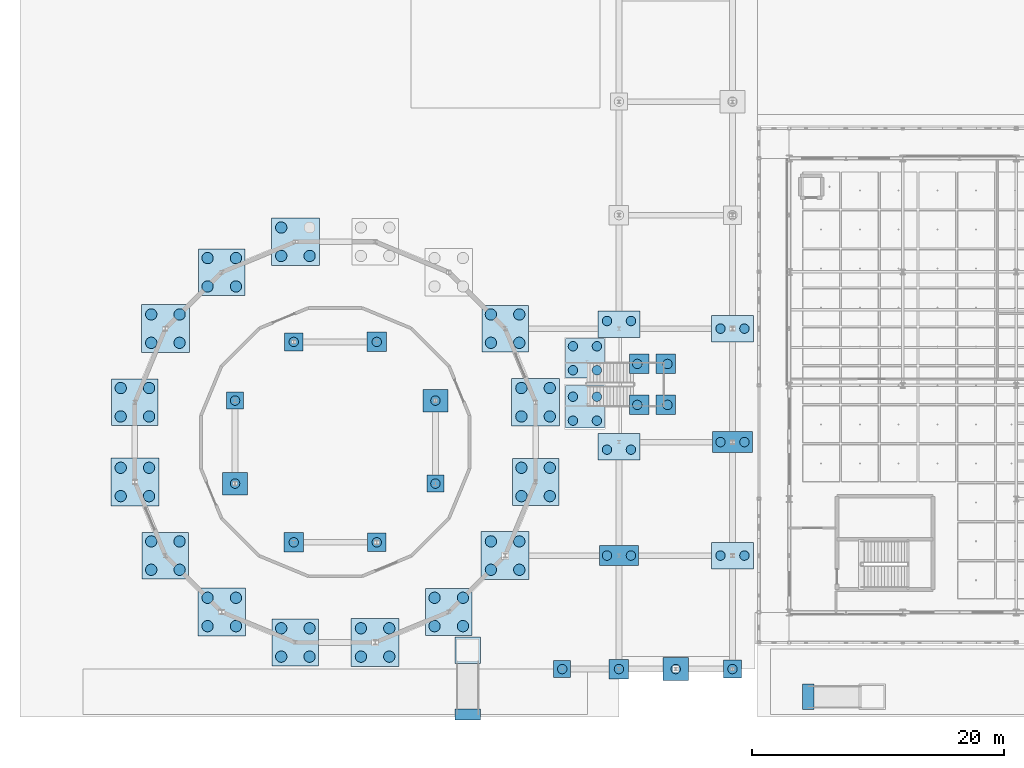
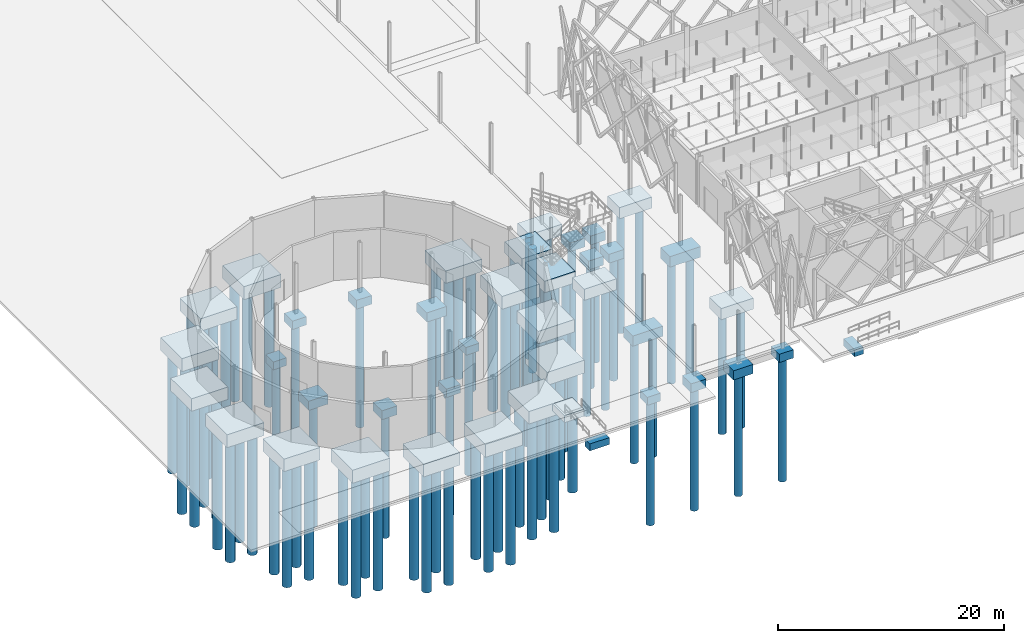
# One storey, part 1 of 180: 91 piles, 41 footings.
"""IFC4 building model written with IfcOpenShell, lengths in metres."""

from ifc_helpers import new_model, si_unit, direction, frame, origin, origin_2d, place, context, subcontext, project, spatial, rectangle, circle, extrude, material, material_profile, profile_set, type_object, element, save


model = new_model("IFC4")

# Units and contexts
model_context = context("Model", 3, precision=1e-05, world=origin(), true_north=direction((0.0, 1.0)))
body_context = subcontext(model_context, "Body", "Model", "MODEL_VIEW")
ifc_project = project(units=[si_unit("LENGTHUNIT", "METRE"), si_unit("AREAUNIT", "SQUARE_METRE"), si_unit("VOLUMEUNIT", "CUBIC_METRE"), si_unit("PLANEANGLEUNIT", "RADIAN"), si_unit("MASSUNIT", "GRAM", prefix="KILO"), si_unit("THERMODYNAMICTEMPERATUREUNIT", "KELVIN"), si_unit("POWERUNIT", "WATT")], contexts=[model_context])

# Site, building, storey
site_placement = place(None, origin())
site = spatial("IfcSite", under=ifc_project, at=site_placement, CompositionType="ELEMENT")
building_placement = place(site_placement, origin())
building = spatial("IfcBuilding", under=site, at=building_placement, Name="Tallowbark Science Centre", CompositionType="ELEMENT")
storey_placement = place(building_placement, origin())
storey = spatial("IfcBuildingStorey", under=building, at=storey_placement, Name="L00", CompositionType="ELEMENT", Elevation=0.0)

# Footings
ifc_material = material(Name="Concrete Grade N40 (40 MPa)", Category="concrete")
footing_type_1 = type_object("IfcFootingType", Name="FTG-PC1-130", PredefinedType="PILE_CAP", material=ifc_material)
for number, where, z_axis, x_axis, name in (
    (1, (14.5546875, 21.291015625, -1.090087890625), (0.0, 0.0, 1.0), (1.0, 0.0, 0.0), "Pile Cap DRM-I04"),
    (2, (30.4453125, 14.708984375, -1.090087890625), (0.0, 0.0, 1.0), (1.0, 0.0, 0.0), "Pile Cap DRM-I08"),
    (3, (40.5, 0.0, -1.090087890625), (0.0, 0.0, 1.0), (1.0, 0.0, 0.0), "Pile Cap CAN-S1"),
):
    element("IfcFooting", number, at=place(storey_placement, frame(where, z_axis=z_axis, x_axis=x_axis)), inside=storey, type_object=footing_type_1, Name=name, PredefinedType="PILE_CAP", context=body_context, shape_type="SweptSolid", body=[
        extrude(rectangle(XDim=1.35009765625, YDim=1.35009765625, at=origin_2d()), origin(), (0.0, 0.0, 1.0), 0.85009765625),
    ])
footing_type_2 = type_object("IfcFootingType", Name="FTG-PC1-140", PredefinedType="PILE_CAP", material=ifc_material)
for number, where, z_axis, x_axis, name in (
    (4, (19.208984375, 25.9453125, -1.139892578125), (0.0, 0.0, 1.0), (1.0, 0.0, 0.0), "Pile Cap DRM-I03"),
    (5, (25.791015625, 10.0546875, -1.139892578125), (0.0, 0.0, 1.0), (1.0, 0.0, 0.0), "Pile Cap DRM-I07"),
    (6, (54.0, 0.0, -1.159912109375), (0.0, 0.0, 1.0), (1.0, 0.0, 0.0), "Pile Cap PAS-E00"),
):
    element("IfcFooting", number, at=place(storey_placement, frame(where, z_axis=z_axis, x_axis=x_axis)), inside=storey, type_object=footing_type_2, Name=name, PredefinedType="PILE_CAP", context=body_context, shape_type="SweptSolid", body=[
        extrude(rectangle(XDim=1.449951171875, YDim=1.449951171875, at=origin_2d()), origin(), (0.0, 0.0, 1.0), 0.89990234375),
    ])
footing_type_3 = type_object("IfcFootingType", Name="FTG-PC1-150", PredefinedType="PILE_CAP", material=ifc_material)
for number, where, z_axis, x_axis, name in (
    (7, (25.791015625, 25.9453125, -1.18994140625), (0.0, 0.0, 1.0), (1.0, 0.0, 0.0), "Pile Cap DRM-I02"),
    (8, (19.208984375, 10.0546875, -1.18994140625), (0.0, 0.0, 1.0), (1.0, 0.0, 0.0), "Pile Cap DRM-I06"),
    (9, (45.0, 0.0, -1.2099609375), (0.0, 0.0, 1.0), (1.0, 0.0, 0.0), "Pile Cap PAS-W00"),
    (10, (46.60009765625, 20.949951171875, -1.2099609375), (0.0, 0.0, 1.0), (1.0, 0.0, 0.0), "Exterior Stair Half-Landing Cap WS"),
    (11, (46.60009765625, 24.199951171875, -1.2099609375), (0.0, 0.0, 1.0), (1.0, 0.0, 0.0), "Exterior Stair Half-Landing Cap WN"),
    (12, (48.699951171875, 20.949951171875, -1.2099609375), (0.0, 0.0, 1.0), (1.0, 0.0, 0.0), "Exterior Stair Half-Landing Cap ES"),
    (13, (48.699951171875, 24.199951171875, -1.2099609375), (0.0, 0.0, 1.0), (1.0, 0.0, 0.0), "Exterior Stair Half-Landing Cap EN"),
):
    element("IfcFooting", number, at=place(storey_placement, frame(where, z_axis=z_axis, x_axis=x_axis)), inside=storey, type_object=footing_type_3, Name=name, PredefinedType="PILE_CAP", context=body_context, shape_type="SweptSolid", body=[
        extrude(rectangle(XDim=1.550048828125, YDim=1.550048828125, at=origin_2d()), origin(), (0.0, 0.0, 1.0), 0.949951171875),
    ])
footing_type_4 = type_object("IfcFootingType", Name="FTG-PC1-160", PredefinedType="PILE_CAP", material=ifc_material)
for number, where, z_axis, x_axis, name in (
    (14, (30.4453125, 21.291015625, -1.239990234375), (0.0, 0.0, 1.0), (1.0, 0.0, 0.0), "Pile Cap DRM-I01"),
    (15, (14.5546875, 14.708984375, -1.239990234375), (0.0, 0.0, 1.0), (1.0, 0.0, 0.0), "Pile Cap DRM-I05"),
    (16, (49.5, 0.0, -1.260009765625), (0.0, 0.0, 1.0), (1.0, 0.0, 0.0), "Pile Cap CAN-S2"),
):
    element("IfcFooting", number, at=place(storey_placement, frame(where, z_axis=z_axis, x_axis=x_axis)), inside=storey, type_object=footing_type_4, Name=name, PredefinedType="PILE_CAP", context=body_context, shape_type="SweptSolid", body=[
        extrude(rectangle(XDim=2.0, YDim=1.800048828125, at=origin_2d()), origin(), (0.0, 0.0, 1.0), 1.0),
    ])
footing_type_5 = type_object("IfcFootingType", Name="FTG-PC2-230", PredefinedType="PILE_CAP", material=ifc_material)
footing_1_placement = place(storey_placement, frame((45.0, 9.0, -1.360107421875), z_axis=(0.0, 0.0, 1.0), x_axis=(1.0, 0.0, 0.0)))
element("IfcFooting", 17, at=footing_1_placement, inside=storey, type_object=footing_type_5, Name="Pile Cap PAS-W01", PredefinedType="PILE_CAP", context=body_context, shape_type="SweptSolid", body=[
    extrude(rectangle(XDim=3.10009765625, YDim=1.60009765625, at=origin_2d()), origin(), (0.0, 0.0, 1.0), 1.10009765625),
])
footing_type_6 = type_object("IfcFootingType", Name="FTG-PC2-240", PredefinedType="PILE_CAP", material=ifc_material)
footing_2_placement = place(storey_placement, frame((54.0, 18.0, -1.409912109375), z_axis=(0.0, 0.0, 1.0), x_axis=(1.0, 0.0, 0.0)))
element("IfcFooting", 18, at=footing_2_placement, inside=storey, type_object=footing_type_6, Name="Pile Cap PAS-E02", PredefinedType="PILE_CAP", context=body_context, shape_type="SweptSolid", body=[
    extrude(rectangle(XDim=3.14990234375, YDim=1.64990234375, at=origin_2d()), origin(), (0.0, 0.0, 1.0), 1.14990234375),
])
footing_type_7 = type_object("IfcFootingType", Name="FTG-PC2-260", PredefinedType="PILE_CAP", material=ifc_material)
for number, where, z_axis, x_axis, name in (
    (19, (54.0, 9.0, -1.4599609375), (0.0, 0.0, 1.0), (1.0, 0.0, 0.0), "Pile Cap PAS-E01"),
    (20, (45.0, 17.64990234375, -1.4599609375), (0.0, 0.0, 1.0), (1.0, 0.0, 0.0), "Pile Cap PAS-W02"),
    (21, (45.0, 27.35009765625, -1.4599609375), (0.0, 0.0, 1.0), (1.0, 0.0, 0.0), "Pile Cap PAS-W03"),
    (22, (54.0, 27.0, -1.4599609375), (0.0, 0.0, 1.0), (1.0, 0.0, 0.0), "Pile Cap PAS-E03"),
):
    element("IfcFooting", number, at=place(storey_placement, frame(where, z_axis=z_axis, x_axis=x_axis)), inside=storey, type_object=footing_type_7, Name=name, PredefinedType="PILE_CAP", context=body_context, shape_type="SweptSolid", body=[
        extrude(rectangle(XDim=3.300048828125, YDim=2.10009765625, at=origin_2d()), origin(), (0.0, 0.0, 1.0), 1.199951171875),
    ])
footing_type_8 = type_object("IfcFootingType", Name="FTG-PC4-230", PredefinedType="PILE_CAP", material=ifc_material)
footing_3_placement = place(storey_placement, frame((42.300048828125, 20.800048828125, -1.25), z_axis=(0.0, 0.0, 1.0), x_axis=(1.0, 0.0, 0.0)))
element("IfcFooting", 23, at=footing_3_placement, inside=storey, type_object=footing_type_8, Name="Exterior Stair Arrival Pile Cap S", PredefinedType="PILE_CAP", context=body_context, shape_type="SweptSolid", body=[
    extrude(rectangle(XDim=3.10009765625, YDim=3.39990234375, at=origin_2d()), origin(), (0.0, 0.0, 1.0), 1.25),
])
footing_4_placement = place(storey_placement, frame((42.300048828125, 24.64990234375, -1.25), z_axis=(0.0, 0.0, 1.0), x_axis=(1.0, 0.0, 0.0)))
element("IfcFooting", 24, at=footing_4_placement, inside=storey, type_object=footing_type_8, Name="Exterior Stair Arrival Pile Cap N", PredefinedType="PILE_CAP", context=body_context, shape_type="SweptSolid", body=[
    extrude(rectangle(XDim=3.10009765625, YDim=3.10009765625, at=origin_2d()), origin(), (0.0, 0.0, 1.0), 1.25),
])
footing_type_9 = type_object("IfcFootingType", Name="FTG-PC4-270", PredefinedType="PILE_CAP", material=ifc_material)
for number, where, z_axis, x_axis, name in (
    (25, (35.9697265625, 27.000244140625, -1.590087890625), (0.0, 0.0, 1.0), (1.0, 0.0, 0.0), "Pile Cap DRM-P02"),
    (26, (13.499755859375, 31.4697265625, -1.590087890625), (0.0, 0.0, 1.0), (1.0, 0.0, 0.0), "Pile Cap DRM-P06"),
    (27, (6.611328125, 21.160400390625, -1.590087890625), (0.0, 0.0, 1.0), (1.0, 0.0, 0.0), "Pile Cap DRM-P08"),
    (28, (9.0302734375, 8.999755859375, -1.590087890625), (0.0, 0.0, 1.0), (1.0, 0.0, 0.0), "Pile Cap DRM-P10"),
    (29, (19.339599609375, 2.111328125, -1.590087890625), (0.0, 0.0, 1.0), (1.0, 0.0, 0.0), "Pile Cap DRM-P12"),
    (30, (31.500244140625, 4.5302734375, -1.590087890625), (0.0, 0.0, 1.0), (1.0, 0.0, 0.0), "Pile Cap DRM-P14"),
    (31, (38.388671875, 14.839599609375, -1.590087890625), (0.0, 0.0, 1.0), (1.0, 0.0, 0.0), "Pile Cap DRM-P16"),
):
    element("IfcFooting", number, at=place(storey_placement, frame(where, z_axis=z_axis, x_axis=x_axis)), inside=storey, type_object=footing_type_9, Name=name, PredefinedType="PILE_CAP", context=body_context, shape_type="SweptSolid", body=[
        extrude(rectangle(XDim=3.699951171875, YDim=3.699951171875, at=origin_2d()), origin(), (0.0, 0.0, 1.0), 1.35009765625),
    ])
footing_type_10 = type_object("IfcFootingType", Name="FTG-PC4-280", PredefinedType="PILE_CAP", material=ifc_material)
for number, where, z_axis, x_axis, name in (
    (32, (38.388671875, 21.160400390625, -1.639892578125), (0.0, 0.0, 1.0), (1.0, 0.0, 0.0), "Pile Cap DRM-P01"),
    (33, (19.339599609375, 33.888671875, -1.639892578125), (0.0, 0.0, 1.0), (1.0, 0.0, 0.0), "Pile Cap DRM-P05"),
    (34, (9.0302734375, 27.000244140625, -1.639892578125), (0.0, 0.0, 1.0), (1.0, 0.0, 0.0), "Pile Cap DRM-P07"),
    (35, (6.611328125, 14.839599609375, -1.639892578125), (0.0, 0.0, 1.0), (1.0, 0.0, 0.0), "Pile Cap DRM-P09"),
    (36, (13.499755859375, 4.5302734375, -1.639892578125), (0.0, 0.0, 1.0), (1.0, 0.0, 0.0), "Pile Cap DRM-P11"),
    (37, (25.660400390625, 2.111328125, -1.639892578125), (0.0, 0.0, 1.0), (1.0, 0.0, 0.0), "Pile Cap DRM-P13"),
    (38, (35.9697265625, 8.999755859375, -1.639892578125), (0.0, 0.0, 1.0), (1.0, 0.0, 0.0), "Pile Cap DRM-P15"),
):
    element("IfcFooting", number, at=place(storey_placement, frame(where, z_axis=z_axis, x_axis=x_axis)), inside=storey, type_object=footing_type_10, Name=name, PredefinedType="PILE_CAP", context=body_context, shape_type="SweptSolid", body=[
        extrude(rectangle(XDim=3.800048828125, YDim=3.800048828125, at=origin_2d()), origin(), (0.0, 0.0, 1.0), 1.39990234375),
    ])
footing_type_11 = type_object("IfcFootingType", Name="FTG-STR-900", PredefinedType="STRIP_FOOTING", material=ifc_material)
for number, where, z_axis, x_axis, name in (
    (39, (60.0, -2.199951171875, -1.22998046875), (0.0, 0.0, 1.0), (0.0, 1.0, 0.0), "Ramp Toe Footing RMP-01"),
    (40, (33.0, -3.60009765625, -1.22998046875), (0.0, 0.0, 1.0), (-1.0, 0.0, 0.0), "Ramp Toe Footing RMP-02"),
):
    element("IfcFooting", number, at=place(storey_placement, frame(where, z_axis=z_axis, x_axis=x_axis)), inside=storey, type_object=footing_type_11, Name=name, PredefinedType="STRIP_FOOTING", context=body_context, shape_type="SweptSolid", body=[
        extrude(rectangle(XDim=2.0, YDim=0.89990234375, at=origin_2d()), origin(), (0.0, 0.0, 1.0), 0.75),
    ])
footing_5_placement = place(storey_placement, frame((33.0, 1.5, -0.909912109375), z_axis=(0.0, 0.0, 1.0), x_axis=(0.0, 1.0, 0.0)))
element("IfcFooting", 41, at=footing_5_placement, inside=storey, type_object=footing_type_11, Name="Ramp Landing Footing RMP-02", PredefinedType="STRIP_FOOTING", context=body_context, shape_type="SweptSolid", body=[
    extrude(rectangle(XDim=2.10009765625, YDim=2.0, at=origin_2d()), origin(), (0.0, 0.0, 1.0), 0.75),
])

# Piles
ifc_material_profile_1 = material_profile(ifc_material, circle(Radius=0.375, at=origin_2d()), Name="PILE750")
ifc_profile_set_1 = profile_set([ifc_material_profile_1], Name="Concrete Grade N40 (40 MPa)")
pile_type_1 = type_object("IfcPileType", Name="PIL-B750", PredefinedType="BORED", material=ifc_profile_set_1)
pile_1_placement = place(storey_placement, frame((30.4453125, 21.291015625, -1.090087890625), z_axis=(0.0, 0.0, -1.0), x_axis=(1.0, 0.0, 0.0)))
element("IfcPile", 42, at=pile_1_placement, inside=storey, type_object=pile_type_1, Name="Bored Pile DRM-I01-1", PredefinedType="BORED", context=body_context, shape_type="SweptSolid", body=[
    extrude(circle(Radius=0.375, at=origin_2d()), origin(), (0.0, 0.0, 1.0), 13.409912109375),
])
pile_2_placement = place(storey_placement, frame((25.791015625, 25.9453125, -1.0400390625), z_axis=(0.0, 0.0, -1.0), x_axis=(1.0, 0.0, 0.0)))
element("IfcPile", 43, at=pile_2_placement, inside=storey, type_object=pile_type_1, Name="Bored Pile DRM-I02-1", PredefinedType="BORED", context=body_context, shape_type="SweptSolid", body=[
    extrude(circle(Radius=0.375, at=origin_2d()), origin(), (0.0, 0.0, 1.0), 13.4599609375),
])
pile_3_placement = place(storey_placement, frame((19.208984375, 25.9453125, -0.989990234375), z_axis=(0.0, 0.0, -1.0), x_axis=(1.0, 0.0, 0.0)))
element("IfcPile", 44, at=pile_3_placement, inside=storey, type_object=pile_type_1, Name="Bored Pile DRM-I03-1", PredefinedType="BORED", context=body_context, shape_type="SweptSolid", body=[
    extrude(circle(Radius=0.375, at=origin_2d()), origin(), (0.0, 0.0, 1.0), 13.510009765625),
])
pile_4_placement = place(storey_placement, frame((14.5546875, 21.291015625, -0.93994140625), z_axis=(0.0, 0.0, -1.0), x_axis=(1.0, 0.0, 0.0)))
element("IfcPile", 45, at=pile_4_placement, inside=storey, type_object=pile_type_1, Name="Bored Pile DRM-I04-1", PredefinedType="BORED", context=body_context, shape_type="SweptSolid", body=[
    extrude(circle(Radius=0.375, at=origin_2d()), origin(), (0.0, 0.0, 1.0), 13.56005859375),
])
pile_5_placement = place(storey_placement, frame((14.5546875, 14.708984375, -1.090087890625), z_axis=(0.0, 0.0, -1.0), x_axis=(1.0, 0.0, 0.0)))
element("IfcPile", 46, at=pile_5_placement, inside=storey, type_object=pile_type_1, Name="Bored Pile DRM-I05-1", PredefinedType="BORED", context=body_context, shape_type="SweptSolid", body=[
    extrude(circle(Radius=0.375, at=origin_2d()), origin(), (0.0, 0.0, 1.0), 13.409912109375),
])
pile_6_placement = place(storey_placement, frame((19.208984375, 10.0546875, -1.0400390625), z_axis=(0.0, 0.0, -1.0), x_axis=(1.0, 0.0, 0.0)))
element("IfcPile", 47, at=pile_6_placement, inside=storey, type_object=pile_type_1, Name="Bored Pile DRM-I06-1", PredefinedType="BORED", context=body_context, shape_type="SweptSolid", body=[
    extrude(circle(Radius=0.375, at=origin_2d()), origin(), (0.0, 0.0, 1.0), 13.4599609375),
])
pile_7_placement = place(storey_placement, frame((25.791015625, 10.0546875, -0.989990234375), z_axis=(0.0, 0.0, -1.0), x_axis=(1.0, 0.0, 0.0)))
element("IfcPile", 48, at=pile_7_placement, inside=storey, type_object=pile_type_1, Name="Bored Pile DRM-I07-1", PredefinedType="BORED", context=body_context, shape_type="SweptSolid", body=[
    extrude(circle(Radius=0.375, at=origin_2d()), origin(), (0.0, 0.0, 1.0), 13.510009765625),
])
pile_8_placement = place(storey_placement, frame((30.4453125, 14.708984375, -0.93994140625), z_axis=(0.0, 0.0, -1.0), x_axis=(1.0, 0.0, 0.0)))
element("IfcPile", 49, at=pile_8_placement, inside=storey, type_object=pile_type_1, Name="Bored Pile DRM-I08-1", PredefinedType="BORED", context=body_context, shape_type="SweptSolid", body=[
    extrude(circle(Radius=0.375, at=origin_2d()), origin(), (0.0, 0.0, 1.0), 13.56005859375),
])
pile_9_placement = place(storey_placement, frame((45.0, 0.0, -1.06005859375), z_axis=(0.0, 0.0, -1.0), x_axis=(1.0, 0.0, 0.0)))
element("IfcPile", 50, at=pile_9_placement, inside=storey, type_object=pile_type_1, Name="Bored Pile PAS-W00-1", PredefinedType="BORED", context=body_context, shape_type="SweptSolid", body=[
    extrude(circle(Radius=0.375, at=origin_2d()), origin(), (0.0, 0.0, 1.0), 13.43994140625),
])
pile_10_placement = place(storey_placement, frame((54.0, 0.0, -1.010009765625), z_axis=(0.0, 0.0, -1.0), x_axis=(1.0, 0.0, 0.0)))
element("IfcPile", 51, at=pile_10_placement, inside=storey, type_object=pile_type_1, Name="Bored Pile PAS-E00-1", PredefinedType="BORED", context=body_context, shape_type="SweptSolid", body=[
    extrude(circle(Radius=0.375, at=origin_2d()), origin(), (0.0, 0.0, 1.0), 13.489990234375),
])
for number, where, z_axis, x_axis, name in (
    (52, (44.050048828125, 9.0, -1.2099609375), (0.0, 0.0, -1.0), (1.0, 0.0, 0.0), "Bored Pile PAS-W01-1"),
    (53, (45.949951171875, 9.0, -1.2099609375), (0.0, 0.0, -1.0), (1.0, 0.0, 0.0), "Bored Pile PAS-W01-2"),
):
    element("IfcPile", number, at=place(storey_placement, frame(where, z_axis=z_axis, x_axis=x_axis)), inside=storey, type_object=pile_type_1, Name=name, PredefinedType="BORED", context=body_context, shape_type="SweptSolid", body=[
        extrude(circle(Radius=0.375, at=origin_2d()), origin(), (0.0, 0.0, 1.0), 13.2900390625),
    ])
for number, where, z_axis, x_axis, name in (
    (54, (53.050048828125, 9.0, -1.31005859375), (0.0, 0.0, -1.0), (1.0, 0.0, 0.0), "Bored Pile PAS-E01-1"),
    (55, (54.949951171875, 9.0, -1.31005859375), (0.0, 0.0, -1.0), (1.0, 0.0, 0.0), "Bored Pile PAS-E01-2"),
    (56, (44.050048828125, 17.39990234375, -1.31005859375), (0.0, 0.0, -1.0), (1.0, 0.0, 0.0), "Bored Pile PAS-W02-1"),
    (57, (45.949951171875, 17.39990234375, -1.31005859375), (0.0, 0.0, -1.0), (1.0, 0.0, 0.0), "Bored Pile PAS-W02-2"),
):
    element("IfcPile", number, at=place(storey_placement, frame(where, z_axis=z_axis, x_axis=x_axis)), inside=storey, type_object=pile_type_1, Name=name, PredefinedType="BORED", context=body_context, shape_type="SweptSolid", body=[
        extrude(circle(Radius=0.375, at=origin_2d()), origin(), (0.0, 0.0, 1.0), 13.18994140625),
    ])
for number, where, z_axis, x_axis, name in (
    (58, (53.050048828125, 18.0, -1.260009765625), (0.0, 0.0, -1.0), (1.0, 0.0, 0.0), "Bored Pile PAS-E02-1"),
    (59, (54.949951171875, 18.0, -1.260009765625), (0.0, 0.0, -1.0), (1.0, 0.0, 0.0), "Bored Pile PAS-E02-2"),
):
    element("IfcPile", number, at=place(storey_placement, frame(where, z_axis=z_axis, x_axis=x_axis)), inside=storey, type_object=pile_type_1, Name=name, PredefinedType="BORED", context=body_context, shape_type="SweptSolid", body=[
        extrude(circle(Radius=0.375, at=origin_2d()), origin(), (0.0, 0.0, 1.0), 13.239990234375),
    ])
for number, where, z_axis, x_axis, name in (
    (60, (44.050048828125, 27.60009765625, -1.31005859375), (0.0, 0.0, -1.0), (1.0, 0.0, 0.0), "Bored Pile PAS-W03-1"),
    (61, (45.949951171875, 27.60009765625, -1.31005859375), (0.0, 0.0, -1.0), (1.0, 0.0, 0.0), "Bored Pile PAS-W03-2"),
    (62, (53.050048828125, 27.0, -1.31005859375), (0.0, 0.0, -1.0), (1.0, 0.0, 0.0), "Bored Pile PAS-E03-1"),
    (63, (54.949951171875, 27.0, -1.31005859375), (0.0, 0.0, -1.0), (1.0, 0.0, 0.0), "Bored Pile PAS-E03-2"),
):
    element("IfcPile", number, at=place(storey_placement, frame(where, z_axis=z_axis, x_axis=x_axis)), inside=storey, type_object=pile_type_1, Name=name, PredefinedType="BORED", context=body_context, shape_type="SweptSolid", body=[
        extrude(circle(Radius=0.375, at=origin_2d()), origin(), (0.0, 0.0, 1.0), 13.18994140625),
    ])
pile_11_placement = place(storey_placement, frame((40.5, 0.0, -0.93994140625), z_axis=(0.0, 0.0, -1.0), x_axis=(1.0, 0.0, 0.0)))
element("IfcPile", 64, at=pile_11_placement, inside=storey, type_object=pile_type_1, Name="Bored Pile CAN-S1-1", PredefinedType="BORED", context=body_context, shape_type="SweptSolid", body=[
    extrude(circle(Radius=0.375, at=origin_2d()), origin(), (0.0, 0.0, 1.0), 13.56005859375),
])
pile_12_placement = place(storey_placement, frame((49.5, 0.0, -1.110107421875), z_axis=(0.0, 0.0, -1.0), x_axis=(1.0, 0.0, 0.0)))
element("IfcPile", 65, at=pile_12_placement, inside=storey, type_object=pile_type_1, Name="Bored Pile CAN-S2-1", PredefinedType="BORED", context=body_context, shape_type="SweptSolid", body=[
    extrude(circle(Radius=0.375, at=origin_2d()), origin(), (0.0, 0.0, 1.0), 13.389892578125),
])
for number, where, z_axis, x_axis, name in (
    (66, (41.35009765625, 19.699951171875, -1.10009765625), (0.0, 0.0, -1.0), (1.0, 0.0, 0.0), "Exterior Stair Arrival Pile S-1"),
    (67, (43.25, 19.699951171875, -1.10009765625), (0.0, 0.0, -1.0), (1.0, 0.0, 0.0), "Exterior Stair Arrival Pile S-2"),
    (68, (41.35009765625, 21.60009765625, -1.10009765625), (0.0, 0.0, -1.0), (1.0, 0.0, 0.0), "Exterior Stair Arrival Pile S-3"),
    (69, (43.25, 21.60009765625, -1.10009765625), (0.0, 0.0, -1.0), (1.0, 0.0, 0.0), "Exterior Stair Arrival Pile S-4"),
    (70, (41.35009765625, 23.699951171875, -1.10009765625), (0.0, 0.0, -1.0), (1.0, 0.0, 0.0), "Exterior Stair Arrival Pile N-1"),
    (71, (43.25, 23.699951171875, -1.10009765625), (0.0, 0.0, -1.0), (1.0, 0.0, 0.0), "Exterior Stair Arrival Pile N-2"),
    (72, (41.35009765625, 25.60009765625, -1.10009765625), (0.0, 0.0, -1.0), (1.0, 0.0, 0.0), "Exterior Stair Arrival Pile N-3"),
    (73, (43.25, 25.60009765625, -1.10009765625), (0.0, 0.0, -1.0), (1.0, 0.0, 0.0), "Exterior Stair Arrival Pile N-4"),
):
    element("IfcPile", number, at=place(storey_placement, frame(where, z_axis=z_axis, x_axis=x_axis)), inside=storey, type_object=pile_type_1, Name=name, PredefinedType="BORED", context=body_context, shape_type="SweptSolid", body=[
        extrude(circle(Radius=0.375, at=origin_2d()), origin(), (0.0, 0.0, 1.0), 13.39990234375),
    ])
for number, where, z_axis, x_axis, name in (
    (74, (46.449951171875, 20.949951171875, -1.06005859375), (0.0, 0.0, -1.0), (1.0, 0.0, 0.0), "Exterior Stair Half-Landing Pile WS"),
    (75, (46.449951171875, 24.199951171875, -1.06005859375), (0.0, 0.0, -1.0), (1.0, 0.0, 0.0), "Exterior Stair Half-Landing Pile WN"),
    (76, (48.85009765625, 20.949951171875, -1.06005859375), (0.0, 0.0, -1.0), (1.0, 0.0, 0.0), "Exterior Stair Half-Landing Pile ES"),
    (77, (48.85009765625, 24.199951171875, -1.06005859375), (0.0, 0.0, -1.0), (1.0, 0.0, 0.0), "Exterior Stair Half-Landing Pile EN"),
):
    element("IfcPile", number, at=place(storey_placement, frame(where, z_axis=z_axis, x_axis=x_axis)), inside=storey, type_object=pile_type_1, Name=name, PredefinedType="BORED", context=body_context, shape_type="SweptSolid", body=[
        extrude(circle(Radius=0.375, at=origin_2d()), origin(), (0.0, 0.0, 1.0), 13.43994140625),
    ])
ifc_material_profile_2 = material_profile(ifc_material, circle(Radius=0.449951171875, at=origin_2d()), Name="PILE900")
ifc_profile_set_2 = profile_set([ifc_material_profile_2], Name="Concrete Grade N40 (40 MPa)")
pile_type_2 = type_object("IfcPileType", Name="PIL-B900", PredefinedType="BORED", material=ifc_profile_set_2)
for number, where, z_axis, x_axis, name in (
    (78, (37.263671875, 20.035400390625, -1.489990234375), (0.0, 0.0, -1.0), (1.0, 0.0, 0.0), "Bored Pile DRM-P01-1"),
    (79, (39.513671875, 20.035400390625, -1.489990234375), (0.0, 0.0, -1.0), (1.0, 0.0, 0.0), "Bored Pile DRM-P01-2"),
    (80, (37.263671875, 22.285400390625, -1.489990234375), (0.0, 0.0, -1.0), (1.0, 0.0, 0.0), "Bored Pile DRM-P01-3"),
    (81, (39.513671875, 22.285400390625, -1.489990234375), (0.0, 0.0, -1.0), (1.0, 0.0, 0.0), "Bored Pile DRM-P01-4"),
):
    element("IfcPile", number, at=place(storey_placement, frame(where, z_axis=z_axis, x_axis=x_axis)), inside=storey, type_object=pile_type_2, Name=name, PredefinedType="BORED", context=body_context, shape_type="SweptSolid", body=[
        extrude(circle(Radius=0.449951171875, at=origin_2d()), origin(), (0.0, 0.0, 1.0), 13.010009765625),
    ])
for number, where, z_axis, x_axis, name in (
    (82, (34.8447265625, 25.875244140625, -1.43994140625), (0.0, 0.0, -1.0), (1.0, 0.0, 0.0), "Bored Pile DRM-P02-1"),
    (83, (37.0947265625, 25.875244140625, -1.43994140625), (0.0, 0.0, -1.0), (1.0, 0.0, 0.0), "Bored Pile DRM-P02-2"),
    (84, (34.8447265625, 28.125244140625, -1.43994140625), (0.0, 0.0, -1.0), (1.0, 0.0, 0.0), "Bored Pile DRM-P02-3"),
    (85, (37.0947265625, 28.125244140625, -1.43994140625), (0.0, 0.0, -1.0), (1.0, 0.0, 0.0), "Bored Pile DRM-P02-4"),
):
    element("IfcPile", number, at=place(storey_placement, frame(where, z_axis=z_axis, x_axis=x_axis)), inside=storey, type_object=pile_type_2, Name=name, PredefinedType="BORED", context=body_context, shape_type="SweptSolid", body=[
        extrude(circle(Radius=0.449951171875, at=origin_2d()), origin(), (0.0, 0.0, 1.0), 13.06005859375),
    ])
for number, where, z_axis, x_axis, name in (
    (86, (18.214599609375, 32.763671875, -1.489990234375), (0.0, 0.0, -1.0), (1.0, 0.0, 0.0), "Bored Pile DRM-P05-1"),
    (87, (20.464599609375, 32.763671875, -1.489990234375), (0.0, 0.0, -1.0), (1.0, 0.0, 0.0), "Bored Pile DRM-P05-2"),
    (88, (18.214599609375, 35.013671875, -1.489990234375), (0.0, 0.0, -1.0), (1.0, 0.0, 0.0), "Bored Pile DRM-P05-3"),
):
    element("IfcPile", number, at=place(storey_placement, frame(where, z_axis=z_axis, x_axis=x_axis)), inside=storey, type_object=pile_type_2, Name=name, PredefinedType="BORED", context=body_context, shape_type="SweptSolid", body=[
        extrude(circle(Radius=0.449951171875, at=origin_2d()), origin(), (0.0, 0.0, 1.0), 13.010009765625),
    ])
for number, where, z_axis, x_axis, name in (
    (89, (12.374755859375, 30.3447265625, -1.43994140625), (0.0, 0.0, -1.0), (1.0, 0.0, 0.0), "Bored Pile DRM-P06-1"),
    (90, (14.624755859375, 30.3447265625, -1.43994140625), (0.0, 0.0, -1.0), (1.0, 0.0, 0.0), "Bored Pile DRM-P06-2"),
    (91, (12.374755859375, 32.5947265625, -1.43994140625), (0.0, 0.0, -1.0), (1.0, 0.0, 0.0), "Bored Pile DRM-P06-3"),
    (92, (14.624755859375, 32.5947265625, -1.43994140625), (0.0, 0.0, -1.0), (1.0, 0.0, 0.0), "Bored Pile DRM-P06-4"),
):
    element("IfcPile", number, at=place(storey_placement, frame(where, z_axis=z_axis, x_axis=x_axis)), inside=storey, type_object=pile_type_2, Name=name, PredefinedType="BORED", context=body_context, shape_type="SweptSolid", body=[
        extrude(circle(Radius=0.449951171875, at=origin_2d()), origin(), (0.0, 0.0, 1.0), 13.06005859375),
    ])
for number, where, z_axis, x_axis, name in (
    (93, (7.9052734375, 25.875244140625, -1.489990234375), (0.0, 0.0, -1.0), (1.0, 0.0, 0.0), "Bored Pile DRM-P07-1"),
    (94, (10.1552734375, 25.875244140625, -1.489990234375), (0.0, 0.0, -1.0), (1.0, 0.0, 0.0), "Bored Pile DRM-P07-2"),
    (95, (7.9052734375, 28.125244140625, -1.489990234375), (0.0, 0.0, -1.0), (1.0, 0.0, 0.0), "Bored Pile DRM-P07-3"),
    (96, (10.1552734375, 28.125244140625, -1.489990234375), (0.0, 0.0, -1.0), (1.0, 0.0, 0.0), "Bored Pile DRM-P07-4"),
):
    element("IfcPile", number, at=place(storey_placement, frame(where, z_axis=z_axis, x_axis=x_axis)), inside=storey, type_object=pile_type_2, Name=name, PredefinedType="BORED", context=body_context, shape_type="SweptSolid", body=[
        extrude(circle(Radius=0.449951171875, at=origin_2d()), origin(), (0.0, 0.0, 1.0), 13.010009765625),
    ])
for number, where, z_axis, x_axis, name in (
    (97, (5.486328125, 20.035400390625, -1.43994140625), (0.0, 0.0, -1.0), (1.0, 0.0, 0.0), "Bored Pile DRM-P08-1"),
    (98, (7.736328125, 20.035400390625, -1.43994140625), (0.0, 0.0, -1.0), (1.0, 0.0, 0.0), "Bored Pile DRM-P08-2"),
    (99, (5.486328125, 22.285400390625, -1.43994140625), (0.0, 0.0, -1.0), (1.0, 0.0, 0.0), "Bored Pile DRM-P08-3"),
    (100, (7.736328125, 22.285400390625, -1.43994140625), (0.0, 0.0, -1.0), (1.0, 0.0, 0.0), "Bored Pile DRM-P08-4"),
):
    element("IfcPile", number, at=place(storey_placement, frame(where, z_axis=z_axis, x_axis=x_axis)), inside=storey, type_object=pile_type_2, Name=name, PredefinedType="BORED", context=body_context, shape_type="SweptSolid", body=[
        extrude(circle(Radius=0.449951171875, at=origin_2d()), origin(), (0.0, 0.0, 1.0), 13.06005859375),
    ])
for number, where, z_axis, x_axis, name in (
    (101, (5.486328125, 13.714599609375, -1.489990234375), (0.0, 0.0, -1.0), (1.0, 0.0, 0.0), "Bored Pile DRM-P09-1"),
    (102, (7.736328125, 13.714599609375, -1.489990234375), (0.0, 0.0, -1.0), (1.0, 0.0, 0.0), "Bored Pile DRM-P09-2"),
    (103, (5.486328125, 15.964599609375, -1.489990234375), (0.0, 0.0, -1.0), (1.0, 0.0, 0.0), "Bored Pile DRM-P09-3"),
    (104, (7.736328125, 15.964599609375, -1.489990234375), (0.0, 0.0, -1.0), (1.0, 0.0, 0.0), "Bored Pile DRM-P09-4"),
):
    element("IfcPile", number, at=place(storey_placement, frame(where, z_axis=z_axis, x_axis=x_axis)), inside=storey, type_object=pile_type_2, Name=name, PredefinedType="BORED", context=body_context, shape_type="SweptSolid", body=[
        extrude(circle(Radius=0.449951171875, at=origin_2d()), origin(), (0.0, 0.0, 1.0), 13.010009765625),
    ])
for number, where, z_axis, x_axis, name in (
    (105, (7.9052734375, 7.874755859375, -1.43994140625), (0.0, 0.0, -1.0), (1.0, 0.0, 0.0), "Bored Pile DRM-P10-1"),
    (106, (10.1552734375, 7.874755859375, -1.43994140625), (0.0, 0.0, -1.0), (1.0, 0.0, 0.0), "Bored Pile DRM-P10-2"),
    (107, (7.9052734375, 10.124755859375, -1.43994140625), (0.0, 0.0, -1.0), (1.0, 0.0, 0.0), "Bored Pile DRM-P10-3"),
    (108, (10.1552734375, 10.124755859375, -1.43994140625), (0.0, 0.0, -1.0), (1.0, 0.0, 0.0), "Bored Pile DRM-P10-4"),
):
    element("IfcPile", number, at=place(storey_placement, frame(where, z_axis=z_axis, x_axis=x_axis)), inside=storey, type_object=pile_type_2, Name=name, PredefinedType="BORED", context=body_context, shape_type="SweptSolid", body=[
        extrude(circle(Radius=0.449951171875, at=origin_2d()), origin(), (0.0, 0.0, 1.0), 13.06005859375),
    ])
for number, where, z_axis, x_axis, name in (
    (109, (12.374755859375, 3.4052734375, -1.489990234375), (0.0, 0.0, -1.0), (1.0, 0.0, 0.0), "Bored Pile DRM-P11-1"),
    (110, (14.624755859375, 3.4052734375, -1.489990234375), (0.0, 0.0, -1.0), (1.0, 0.0, 0.0), "Bored Pile DRM-P11-2"),
    (111, (12.374755859375, 5.6552734375, -1.489990234375), (0.0, 0.0, -1.0), (1.0, 0.0, 0.0), "Bored Pile DRM-P11-3"),
    (112, (14.624755859375, 5.6552734375, -1.489990234375), (0.0, 0.0, -1.0), (1.0, 0.0, 0.0), "Bored Pile DRM-P11-4"),
):
    element("IfcPile", number, at=place(storey_placement, frame(where, z_axis=z_axis, x_axis=x_axis)), inside=storey, type_object=pile_type_2, Name=name, PredefinedType="BORED", context=body_context, shape_type="SweptSolid", body=[
        extrude(circle(Radius=0.449951171875, at=origin_2d()), origin(), (0.0, 0.0, 1.0), 13.010009765625),
    ])
for number, where, z_axis, x_axis, name in (
    (113, (18.214599609375, 0.986328125, -1.43994140625), (0.0, 0.0, -1.0), (1.0, 0.0, 0.0), "Bored Pile DRM-P12-1"),
    (114, (20.464599609375, 0.986328125, -1.43994140625), (0.0, 0.0, -1.0), (1.0, 0.0, 0.0), "Bored Pile DRM-P12-2"),
    (115, (18.214599609375, 3.236328125, -1.43994140625), (0.0, 0.0, -1.0), (1.0, 0.0, 0.0), "Bored Pile DRM-P12-3"),
    (116, (20.464599609375, 3.236328125, -1.43994140625), (0.0, 0.0, -1.0), (1.0, 0.0, 0.0), "Bored Pile DRM-P12-4"),
):
    element("IfcPile", number, at=place(storey_placement, frame(where, z_axis=z_axis, x_axis=x_axis)), inside=storey, type_object=pile_type_2, Name=name, PredefinedType="BORED", context=body_context, shape_type="SweptSolid", body=[
        extrude(circle(Radius=0.449951171875, at=origin_2d()), origin(), (0.0, 0.0, 1.0), 13.06005859375),
    ])
for number, where, z_axis, x_axis, name in (
    (117, (24.535400390625, 0.986328125, -1.489990234375), (0.0, 0.0, -1.0), (1.0, 0.0, 0.0), "Bored Pile DRM-P13-1"),
    (118, (26.785400390625, 0.986328125, -1.489990234375), (0.0, 0.0, -1.0), (1.0, 0.0, 0.0), "Bored Pile DRM-P13-2"),
    (119, (24.535400390625, 3.236328125, -1.489990234375), (0.0, 0.0, -1.0), (1.0, 0.0, 0.0), "Bored Pile DRM-P13-3"),
    (120, (26.785400390625, 3.236328125, -1.489990234375), (0.0, 0.0, -1.0), (1.0, 0.0, 0.0), "Bored Pile DRM-P13-4"),
):
    element("IfcPile", number, at=place(storey_placement, frame(where, z_axis=z_axis, x_axis=x_axis)), inside=storey, type_object=pile_type_2, Name=name, PredefinedType="BORED", context=body_context, shape_type="SweptSolid", body=[
        extrude(circle(Radius=0.449951171875, at=origin_2d()), origin(), (0.0, 0.0, 1.0), 13.010009765625),
    ])
for number, where, z_axis, x_axis, name in (
    (121, (30.375244140625, 3.4052734375, -1.43994140625), (0.0, 0.0, -1.0), (1.0, 0.0, 0.0), "Bored Pile DRM-P14-1"),
    (122, (32.625244140625, 3.4052734375, -1.43994140625), (0.0, 0.0, -1.0), (1.0, 0.0, 0.0), "Bored Pile DRM-P14-2"),
    (123, (30.375244140625, 5.6552734375, -1.43994140625), (0.0, 0.0, -1.0), (1.0, 0.0, 0.0), "Bored Pile DRM-P14-3"),
    (124, (32.625244140625, 5.6552734375, -1.43994140625), (0.0, 0.0, -1.0), (1.0, 0.0, 0.0), "Bored Pile DRM-P14-4"),
):
    element("IfcPile", number, at=place(storey_placement, frame(where, z_axis=z_axis, x_axis=x_axis)), inside=storey, type_object=pile_type_2, Name=name, PredefinedType="BORED", context=body_context, shape_type="SweptSolid", body=[
        extrude(circle(Radius=0.449951171875, at=origin_2d()), origin(), (0.0, 0.0, 1.0), 13.06005859375),
    ])
for number, where, z_axis, x_axis, name in (
    (125, (34.8447265625, 7.874755859375, -1.489990234375), (0.0, 0.0, -1.0), (1.0, 0.0, 0.0), "Bored Pile DRM-P15-1"),
    (126, (37.0947265625, 7.874755859375, -1.489990234375), (0.0, 0.0, -1.0), (1.0, 0.0, 0.0), "Bored Pile DRM-P15-2"),
    (127, (34.8447265625, 10.124755859375, -1.489990234375), (0.0, 0.0, -1.0), (1.0, 0.0, 0.0), "Bored Pile DRM-P15-3"),
    (128, (37.0947265625, 10.124755859375, -1.489990234375), (0.0, 0.0, -1.0), (1.0, 0.0, 0.0), "Bored Pile DRM-P15-4"),
):
    element("IfcPile", number, at=place(storey_placement, frame(where, z_axis=z_axis, x_axis=x_axis)), inside=storey, type_object=pile_type_2, Name=name, PredefinedType="BORED", context=body_context, shape_type="SweptSolid", body=[
        extrude(circle(Radius=0.449951171875, at=origin_2d()), origin(), (0.0, 0.0, 1.0), 13.010009765625),
    ])
for number, where, z_axis, x_axis, name in (
    (129, (37.263671875, 13.714599609375, -1.43994140625), (0.0, 0.0, -1.0), (1.0, 0.0, 0.0), "Bored Pile DRM-P16-1"),
    (130, (39.513671875, 13.714599609375, -1.43994140625), (0.0, 0.0, -1.0), (1.0, 0.0, 0.0), "Bored Pile DRM-P16-2"),
    (131, (37.263671875, 15.964599609375, -1.43994140625), (0.0, 0.0, -1.0), (1.0, 0.0, 0.0), "Bored Pile DRM-P16-3"),
    (132, (39.513671875, 15.964599609375, -1.43994140625), (0.0, 0.0, -1.0), (1.0, 0.0, 0.0), "Bored Pile DRM-P16-4"),
):
    element("IfcPile", number, at=place(storey_placement, frame(where, z_axis=z_axis, x_axis=x_axis)), inside=storey, type_object=pile_type_2, Name=name, PredefinedType="BORED", context=body_context, shape_type="SweptSolid", body=[
        extrude(circle(Radius=0.449951171875, at=origin_2d()), origin(), (0.0, 0.0, 1.0), 13.06005859375),
    ])

save(model, "model.ifc")
